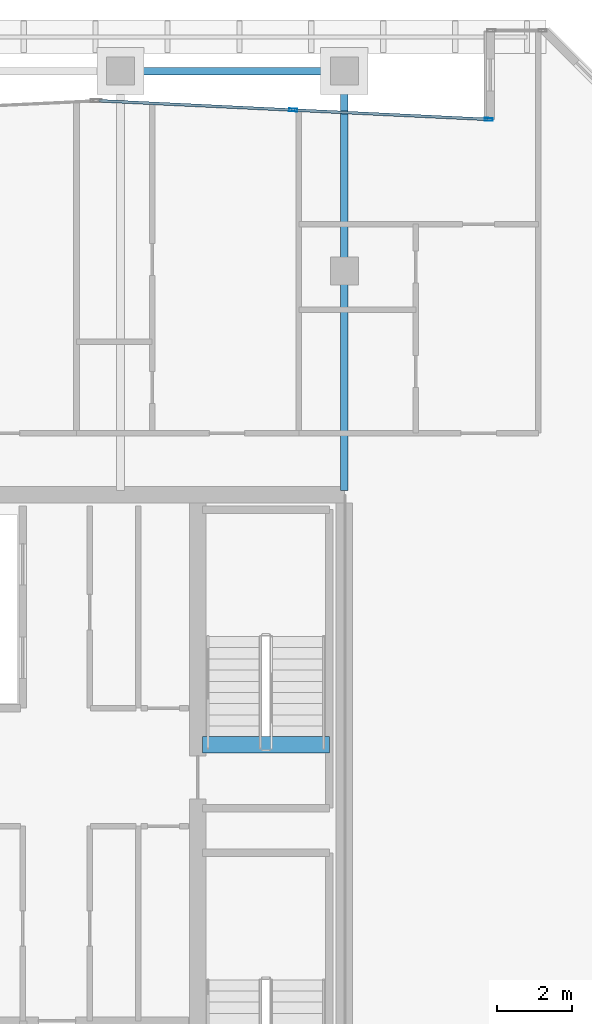
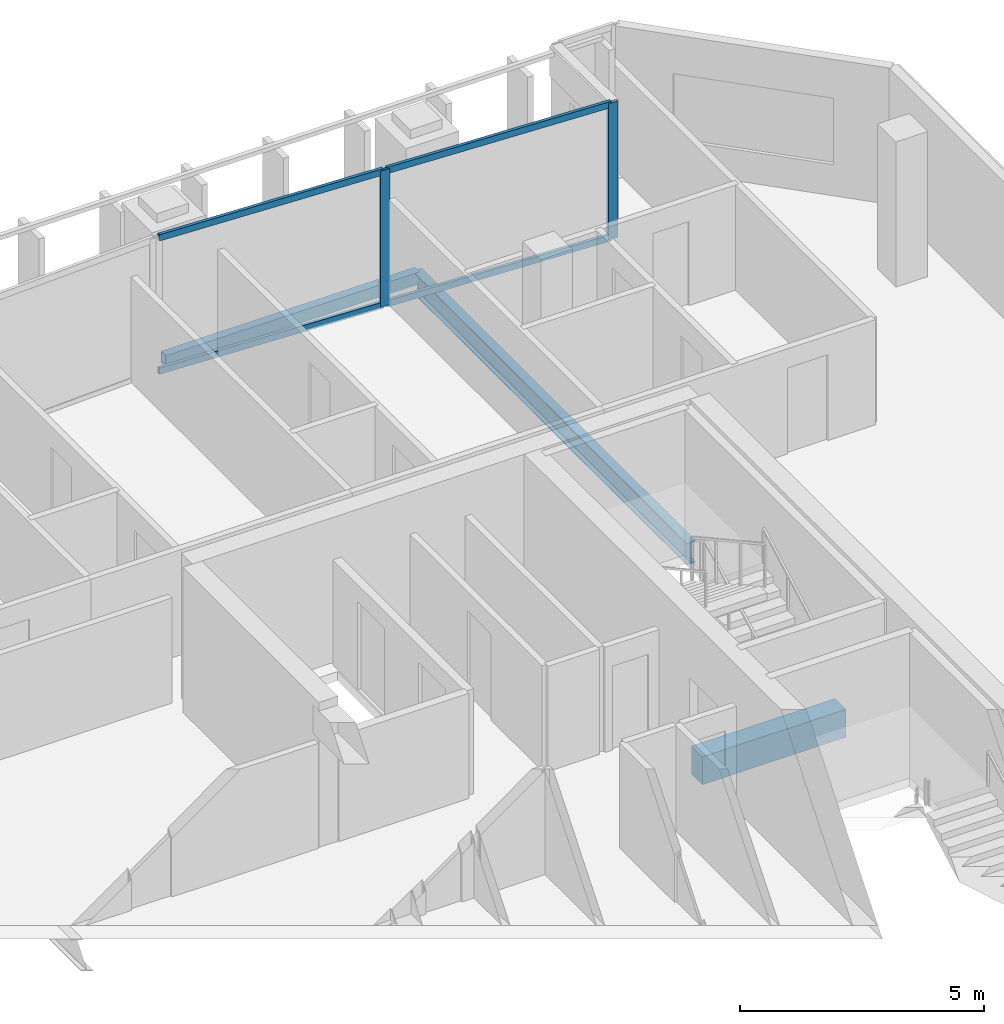
# One storey, part 18 of 32: 6 members, 3 beams, 1 element without a shape of its own.
"""IFC4 building model written with IfcOpenShell, lengths in metres."""

import ifcopenshell
import ifcopenshell.guid

model = None  # the IFC model being written
_history = None  # IfcOwnerHistory: only IFC2X3 demands one
_inside = {}  # id of a spatial element -> (the spatial element, [elements in it])
_under = {}  # id of a project, library or spatial element -> (it, [spatial elements below it])
_declared = {}  # id of a project -> (the project, [libraries it declares])
_typed = {}  # id of a type object -> (the type object, [elements of that type])
_made_of = {}  # id of a material, layer set ... -> (it, [elements and type objects made of it])


def new_model(schema):
    """Start an empty IFC model of exactly this schema.

    Asked for "IFC4X3", IfcOpenShell would pick the latest addendum, in which some entities
    have other attributes; the version numbers below select the first issue.
    IFC2X3 requires an IfcOwnerHistory on every rooted entity: one is made here for all.
    """
    global model, _history
    if schema == "IFC4X3":
        model = ifcopenshell.file(schema_version=(4, 3, 0, 0))
    else:
        model = ifcopenshell.file(schema=schema)
    _inside.clear()
    _under.clear()
    _declared.clear()
    _typed.clear()
    _made_of.clear()
    _history = None
    if model.schema == "IFC2X3":
        org = make("IfcOrganization", Name="unknown")
        user = make(
            "IfcPersonAndOrganization",
            ThePerson=make("IfcPerson", FamilyName="unknown"),
            TheOrganization=org,
        )
        app = make(
            "IfcApplication",
            ApplicationDeveloper=org,
            Version="unknown",
            ApplicationFullName="unknown",
            ApplicationIdentifier="unknown",
        )
        _history = make(
            "IfcOwnerHistory",
            OwningUser=user,
            OwningApplication=app,
            ChangeAction="ADDED",
            CreationDate=0,
        )
    return model


def make(cls, **values):
    """One entity of the class cls with the attributes given. An attribute that is None is left unset."""
    return model.create_entity(
        cls, **{name: value for name, value in values.items() if value is not None}
    )


def rooted(cls, **values):
    """An entity with a GlobalId (a new one), such as an element, a storey or a relation."""
    return make(cls, GlobalId=ifcopenshell.guid.new(), OwnerHistory=_history, **values)


def si_unit(unit_type, name, prefix=None):
    """IfcSIUnit, for example si_unit("LENGTHUNIT", "METRE", prefix="MILLI")."""
    return make("IfcSIUnit", UnitType=unit_type, Prefix=prefix, Name=name)


def assignment(units):
    """IfcUnitAssignment: the units of a project."""
    return None if units is None else make("IfcUnitAssignment", Units=units)


def point(xyz):
    """IfcCartesianPoint."""
    return None if xyz is None else make("IfcCartesianPoint", Coordinates=xyz)


def direction(xyz):
    """IfcDirection."""
    return None if xyz is None else make("IfcDirection", DirectionRatios=xyz)


def frame(location, z_axis=None, x_axis=None):
    """IfcAxis2Placement3D, a coordinate frame: its origin and axes. An axis left out is left unset."""
    return make(
        "IfcAxis2Placement3D",
        Location=point(location),
        Axis=direction(z_axis),
        RefDirection=direction(x_axis),
    )


def frame_2d(location, x_axis=None):
    """IfcAxis2Placement2D, a coordinate frame in the plane: its origin and x axis."""
    return make(
        "IfcAxis2Placement2D", Location=point(location), RefDirection=direction(x_axis)
    )


def origin():
    """The frame at (0, 0, 0) with its axes left unset."""
    return frame((0.0, 0.0, 0.0))


def origin_2d():
    """The frame at (0, 0) in the plane with its x axis left unset."""
    return frame_2d((0.0, 0.0))


def place(relative_to, where):
    """IfcLocalPlacement: puts the frame where relative to a parent placement (None: the world)."""
    return make(
        "IfcLocalPlacement", PlacementRelTo=relative_to, RelativePlacement=where
    )


def context(
    kind, dimensions, precision=None, world=None, true_north=None, identifier=None
):
    """IfcGeometricRepresentationContext, for example the 3D "Model" context."""
    return make(
        "IfcGeometricRepresentationContext",
        ContextIdentifier=identifier,
        ContextType=kind,
        CoordinateSpaceDimension=dimensions,
        Precision=precision,
        WorldCoordinateSystem=world,
        TrueNorth=true_north,
    )


def subcontext(parent, identifier, kind, view, scale=None):
    """IfcGeometricRepresentationSubContext, for example "Body" below "Model"."""
    return make(
        "IfcGeometricRepresentationSubContext",
        ContextIdentifier=identifier,
        ContextType=kind,
        ParentContext=parent,
        TargetScale=scale,
        TargetView=view,
    )


def project(units=None, contexts=None):
    """IfcProject with its units and contexts."""
    return rooted(
        "IfcProject",
        Name="project",
        RepresentationContexts=contexts,
        UnitsInContext=assignment(units),
    )


def spatial(cls, under=None, at=None, **own):
    """A site, building, storey or space (cls), placed at a placement, below another one or the project."""
    s = rooted(cls, ObjectPlacement=at, **own)
    if under is not None:
        _under.setdefault(under.id(), (under, []))[1].append(s)
    return s


def profile(cls, at=None, kind="AREA", **sizes):
    """A parametric profile (cls). Its sizes go by their IFC names, for example OverallWidth=200.0."""
    return make(cls, ProfileType=kind, Position=at, **sizes)


def rectangle(**sizes):
    """IfcRectangleProfileDef."""
    return profile("IfcRectangleProfileDef", **sizes)


def hollow_rectangle(**sizes):
    """IfcRectangleHollowProfileDef."""
    return profile("IfcRectangleHollowProfileDef", **sizes)


def i_section(**sizes):
    """IfcIShapeProfileDef."""
    return profile("IfcIShapeProfileDef", **sizes)


def extrude(swept, where, along, depth):
    """IfcExtrudedAreaSolid: the profile swept, set in the frame where, extruded along a direction by depth."""
    return make(
        "IfcExtrudedAreaSolid",
        SweptArea=swept,
        Position=where,
        ExtrudedDirection=direction(along),
        Depth=depth,
    )


def shape(context_of_items, identifier, shape_type, items):
    """IfcShapeRepresentation: the items that make up one representation, for example the "Body"."""
    return make(
        "IfcShapeRepresentation",
        ContextOfItems=context_of_items,
        RepresentationIdentifier=identifier,
        RepresentationType=shape_type,
        Items=items,
    )


def material(Name=None, Category=None):
    """IfcMaterial."""
    return make("IfcMaterial", Name=Name, Category=Category)


def layer(
    of_material, thickness, ventilated=None, Name=None, Category=None, Priority=None
):
    """IfcMaterialLayer: one layer of a wall or slab, of a material (None: an air gap)."""
    return make(
        "IfcMaterialLayer",
        Material=of_material,
        LayerThickness=thickness,
        IsVentilated=ventilated,
        Name=Name,
        Category=Category,
        Priority=Priority,
    )


def layer_set(layers, Name=None):
    """IfcMaterialLayerSet."""
    return make("IfcMaterialLayerSet", MaterialLayers=layers, LayerSetName=Name)


def material_profile(
    of_material, cross_section, Name=None, Category=None, Priority=None
):
    """IfcMaterialProfile: a cross section and its material."""
    return make(
        "IfcMaterialProfile",
        Name=Name,
        Material=of_material,
        Profile=cross_section,
        Priority=Priority,
        Category=Category,
    )


def profile_set(profiles, Name=None, composite=None):
    """IfcMaterialProfileSet."""
    return make(
        "IfcMaterialProfileSet",
        Name=Name,
        MaterialProfiles=profiles,
        CompositeProfile=composite,
    )


def made_of(thing, what):
    """Note that an element or type object is made of a material, layer set ...; save() writes the relation."""
    if what is not None:
        _made_of.setdefault(what.id(), (what, []))[1].append(thing)
    return thing


def type_object(cls, material=None, **own):
    """A type object (cls), such as IfcWallType, which elements share."""
    return made_of(rooted(cls, **own), material)


def element(
    cls,
    number,
    at=None,
    inside=None,
    cuts=None,
    type_object=None,
    material=None,
    context=None,
    identifier="Body",
    shape_type=None,
    held_by="IfcProductDefinitionShape",
    body=None,
    shapes=None,
    **own,
):
    """One element of the class cls, such as IfcWall. Its Tag is "e" and its number.

    at: its placement. inside: the storey or other place that contains it. cuts: it is an
    opening in that element (IfcRelVoidsElement). A single representation is given by context,
    identifier, shape_type and body (its items); several are given by shapes. held_by: the class
    of the entity that holds the representations. save() writes the other relations.
    """
    e = rooted(cls, Tag="e%d" % number, ObjectPlacement=at, **own)
    if body is not None:
        shapes = [shape(context, identifier, shape_type, body)]
    if shapes is not None:
        e.Representation = make(held_by, Representations=shapes)
    if inside is not None:
        _inside.setdefault(inside.id(), (inside, []))[1].append(e)
    if cuts is not None:
        rooted(
            "IfcRelVoidsElement", RelatingBuildingElement=cuts, RelatedOpeningElement=e
        )
    if type_object is not None:
        _typed.setdefault(type_object.id(), (type_object, []))[1].append(e)
    return made_of(e, material)


def aggregate(whole, parts):
    """IfcRelAggregates: a whole, such as a stair, and the parts it consists of."""
    return rooted("IfcRelAggregates", RelatingObject=whole, RelatedObjects=parts)


def save(model, path):
    """Write the relations noted so far, then the file.

    IfcRelAggregates (storeys below a building ...), IfcRelContainedInSpatialStructure (elements
    in a storey), IfcRelDefinesByType, IfcRelAssociatesMaterial and IfcRelDeclares: one each for
    every whole, place, type object, material and project.
    """
    for whole, parts in _under.values():
        aggregate(whole, parts)
    for where, things in _inside.values():
        rooted(
            "IfcRelContainedInSpatialStructure",
            RelatedElements=things,
            RelatingStructure=where,
        )
    for kind, things in _typed.values():
        rooted("IfcRelDefinesByType", RelatedObjects=things, RelatingType=kind)
    for what, things in _made_of.values():
        rooted("IfcRelAssociatesMaterial", RelatedObjects=things, RelatingMaterial=what)
    for by, libraries in _declared.values():
        rooted("IfcRelDeclares", RelatingContext=by, RelatedDefinitions=libraries)
    model.write(path)


model = new_model("IFC4")

# Units and contexts
model_context = context("Model", 3, precision=1e-05, world=origin(), true_north=direction((0.0, 1.0)))
body_context = subcontext(model_context, "Body", "Model", "MODEL_VIEW")
ifc_project = project(units=[si_unit("LENGTHUNIT", "METRE"), si_unit("AREAUNIT", "SQUARE_METRE"), si_unit("VOLUMEUNIT", "CUBIC_METRE"), si_unit("PLANEANGLEUNIT", "RADIAN"), si_unit("MASSUNIT", "GRAM", prefix="KILO")], contexts=[model_context])

# Site, building, storey
site_placement = place(None, origin())
site = spatial("IfcSite", under=ifc_project, at=site_placement, CompositionType="ELEMENT")
building_placement = place(site_placement, origin())
building = spatial("IfcBuilding", under=site, at=building_placement, Name="Tanjung Sevakor Pilgrim Tower", CompositionType="ELEMENT")
storey_placement = place(building_placement, frame((0.0, 0.0, 211.860107421875)))
storey = spatial("IfcBuildingStorey", under=building, at=storey_placement, Name="L59", CompositionType="ELEMENT", Elevation=211.860107421875)

# Beams
ifc_material_1 = material(Name="Steel S355J2", Category="steel")
ifc_material_profile_1 = material_profile(ifc_material_1, i_section(OverallWidth=0.2119140625, OverallDepth=0.54443359375, WebThickness=0.0126953125, FlangeThickness=0.021240234375, FilletRadius=0.0126953125, at=origin_2d()))
ifc_profile_set_1 = profile_set([ifc_material_profile_1], Name="Steel S355J2")
beam_type_1 = type_object("IfcBeamType", Name="BM-B-G5-UB_533x210x122", PredefinedType="BEAM", material=ifc_profile_set_1)
beam_1_placement = place(storey_placement, frame((90.0, 42.714599609375, -0.492431640625), z_axis=(0.0, 1.0, 0.0), x_axis=(-1.0, 0.0, 0.0)))
element("IfcBeam", 1, at=beam_1_placement, inside=storey, type_object=beam_type_1, Name="L59 MAIN Girder 026", PredefinedType="BEAM", context=body_context, shape_type="SweptSolid", body=[
    extrude(i_section(OverallWidth=0.2119140625, OverallDepth=0.54443359375, WebThickness=0.0126953125, FlangeThickness=0.021240234375, FilletRadius=0.0126953125, at=origin_2d()), origin(), (0.0, 0.0, 1.0), 11.2353515625),
])
ifc_material_2 = material(Name="Concrete C60/75", Category="concrete")
ifc_material_profile_2 = material_profile(ifc_material_2, rectangle(XDim=0.449951171875, YDim=0.699951171875, at=origin_2d()))
ifc_profile_set_2 = profile_set([ifc_material_profile_2], Name="Concrete C60/75")
beam_type_2 = type_object("IfcBeamType", Name="BM-B-LN3-RC-BM_450x700", PredefinedType="LINTEL", material=ifc_profile_set_2)
beam_2_placement = place(storey_placement, frame((86.199951171875, 35.89990234375, -0.35009765625), z_axis=(1.0, 0.0, 0.0), x_axis=(0.0, 1.0, 0.0)))
element("IfcBeam", 2, at=beam_2_placement, inside=storey, type_object=beam_type_2, Name="L59 TS-E2 Stair Threshold Beam", PredefinedType="LINTEL", context=body_context, shape_type="SweptSolid", body=[
    extrude(rectangle(XDim=0.449951171875, YDim=0.699951171875, at=origin_2d()), origin(), (0.0, 0.0, 1.0), 3.400146484375),
])
ifc_material_3 = material(Name="Steel S355J2", Category="steel")
ifc_material_profile_3 = material_profile(ifc_material_3, hollow_rectangle(XDim=0.199951171875, YDim=0.300048828125, WallThickness=0.012451171875, at=origin_2d()))
ifc_profile_set_3 = profile_set([ifc_material_profile_3], Name="Steel S355J2")
beam_type_3 = type_object("IfcBeamType", Name="BM-B-SP3-RHS_300x200x12.5", PredefinedType="SPANDREL", material=ifc_profile_set_3)
beam_3_placement = place(storey_placement, frame((84.0, 53.949951171875, -0.3701171875), z_axis=(1.0, 0.0, 0.0), x_axis=(0.0, 1.0, 0.0)))
element("IfcBeam", 3, at=beam_3_placement, inside=storey, type_object=beam_type_3, Name="L59 Spandrel MAIN N-16", PredefinedType="SPANDREL", context=body_context, shape_type="SweptSolid", body=[
    extrude(hollow_rectangle(XDim=0.199951171875, YDim=0.300048828125, WallThickness=0.012451171875, at=origin_2d()), origin(), (0.0, 0.0, 1.0), 6.0),
])

# Curtain wall, members
ifc_material_4 = material(Name="Aluminium 6063-T6 and Low-E Glass", Category="aluminium")
ifc_layer = layer(ifc_material_4, 0.199951171875)
ifc_layer_set = layer_set([ifc_layer], Name="CW-SYS-PRAY")
curtain_wall_type = type_object("IfcCurtainWallType", Name="CW-SYS-PRAY", PredefinedType="NOTDEFINED", material=ifc_layer_set)
curtain_wall_placement = place(storey_placement, origin())
curtain_wall = element("IfcCurtainWall", 4, at=curtain_wall_placement, inside=storey, type_object=curtain_wall_type, Name="L59 Curtain Wall CW-PRY-L59-20", PredefinedType="NOTDEFINED")
ifc_material_5 = material(Name="Aluminium 6063-T6", Category="aluminium")
ifc_material_profile_4 = material_profile(ifc_material_5, hollow_rectangle(XDim=0.074951171875, YDim=0.219970703125, WallThickness=0.0048828125, at=origin_2d()))
ifc_profile_set_4 = profile_set([ifc_material_profile_4], Name="Aluminium 6063-T6")
member_type_1 = type_object("IfcMemberType", Name="TYPE-CWM-2", PredefinedType="MULLION", material=ifc_profile_set_4)
member_1_placement = place(storey_placement, frame((93.87255859375, 52.656494140625, 0.0), z_axis=(0.0, 0.0, 1.0), x_axis=(-0.047795692163, -0.998857132833, 0.0)))
member_1 = element("IfcMember", 5, at=member_1_placement, type_object=member_type_1, Name="CW-PRY mullion 1", PredefinedType="MULLION", context=body_context, shape_type="SweptSolid", body=[
    extrude(hollow_rectangle(XDim=0.074951171875, YDim=0.219970703125, WallThickness=0.0048828125, at=origin_2d()), origin(), (0.0, 0.0, 1.0), 3.409912109375),
])
member_2_placement = place(storey_placement, frame((88.6298828125, 52.9072265625, 0.0), z_axis=(0.0, 0.0, 1.0), x_axis=(-0.047795692163, -0.998857132833, 0.0)))
member_2 = element("IfcMember", 6, at=member_2_placement, type_object=member_type_1, Name="CW-PRY mullion 2", PredefinedType="MULLION", context=body_context, shape_type="SweptSolid", body=[
    extrude(hollow_rectangle(XDim=0.074951171875, YDim=0.219970703125, WallThickness=0.0048828125, at=origin_2d()), origin(), (0.0, 0.0, 1.0), 3.409912109375),
])
ifc_material_6 = material(Name="Aluminium 6063-T6", Category="aluminium")
ifc_material_profile_5 = material_profile(ifc_material_6, hollow_rectangle(XDim=0.074951171875, YDim=0.159912109375, WallThickness=0.00439453125, at=origin_2d()))
ifc_profile_set_5 = profile_set([ifc_material_profile_5], Name="Aluminium 6063-T6")
member_type_2 = type_object("IfcMemberType", Name="TYPE-CWT-2", PredefinedType="USERDEFINED", material=ifc_profile_set_5)
member_3_placement = place(storey_placement, frame((93.835205078125, 52.658203125, 0.037353515625), z_axis=(-0.998856792552, 0.047802802988, 0.0), x_axis=(-0.047802802988, -0.998856792552, 0.0)))
member_3 = element("IfcMember", 7, at=member_3_placement, type_object=member_type_2, Name="CW-PRY transom 1.1", ObjectType="TRANSOM", PredefinedType="USERDEFINED", context=body_context, shape_type="SweptSolid", body=[
    extrude(hollow_rectangle(XDim=0.074951171875, YDim=0.159912109375, WallThickness=0.00439453125, at=origin_2d()), origin(), (0.0, 0.0, 1.0), 5.173583984375),
])
member_4_placement = place(storey_placement, frame((93.835205078125, 52.658203125, 3.372314453125), z_axis=(-0.998856792552, 0.047802802988, 0.0), x_axis=(-0.047802802988, -0.998856792552, 0.0)))
member_4 = element("IfcMember", 8, at=member_4_placement, type_object=member_type_2, Name="CW-PRY transom 1.2", ObjectType="TRANSOM", PredefinedType="USERDEFINED", context=body_context, shape_type="SweptSolid", body=[
    extrude(hollow_rectangle(XDim=0.074951171875, YDim=0.159912109375, WallThickness=0.00439453125, at=origin_2d()), origin(), (0.0, 0.0, 1.0), 5.173583984375),
])
member_5_placement = place(storey_placement, frame((88.592529296875, 52.908935546875, 0.037353515625), z_axis=(-0.998856792552, 0.047802802988, 0.0), x_axis=(-0.047802802988, -0.998856792552, 0.0)))
member_5 = element("IfcMember", 9, at=member_5_placement, type_object=member_type_2, Name="CW-PRY transom 2.1", ObjectType="TRANSOM", PredefinedType="USERDEFINED", context=body_context, shape_type="SweptSolid", body=[
    extrude(hollow_rectangle(XDim=0.074951171875, YDim=0.159912109375, WallThickness=0.00439453125, at=origin_2d()), origin(), (0.0, 0.0, 1.0), 5.173583984375),
])
member_6_placement = place(storey_placement, frame((88.592529296875, 52.908935546875, 3.372314453125), z_axis=(-0.998856792552, 0.047802802988, 0.0), x_axis=(-0.047802802988, -0.998856792552, 0.0)))
member_6 = element("IfcMember", 10, at=member_6_placement, type_object=member_type_2, Name="CW-PRY transom 2.2", ObjectType="TRANSOM", PredefinedType="USERDEFINED", context=body_context, shape_type="SweptSolid", body=[
    extrude(hollow_rectangle(XDim=0.074951171875, YDim=0.159912109375, WallThickness=0.00439453125, at=origin_2d()), origin(), (0.0, 0.0, 1.0), 5.173583984375),
])
aggregate(curtain_wall, [member_1, member_2, member_3, member_4, member_5, member_6])

save(model, "model.ifc")
